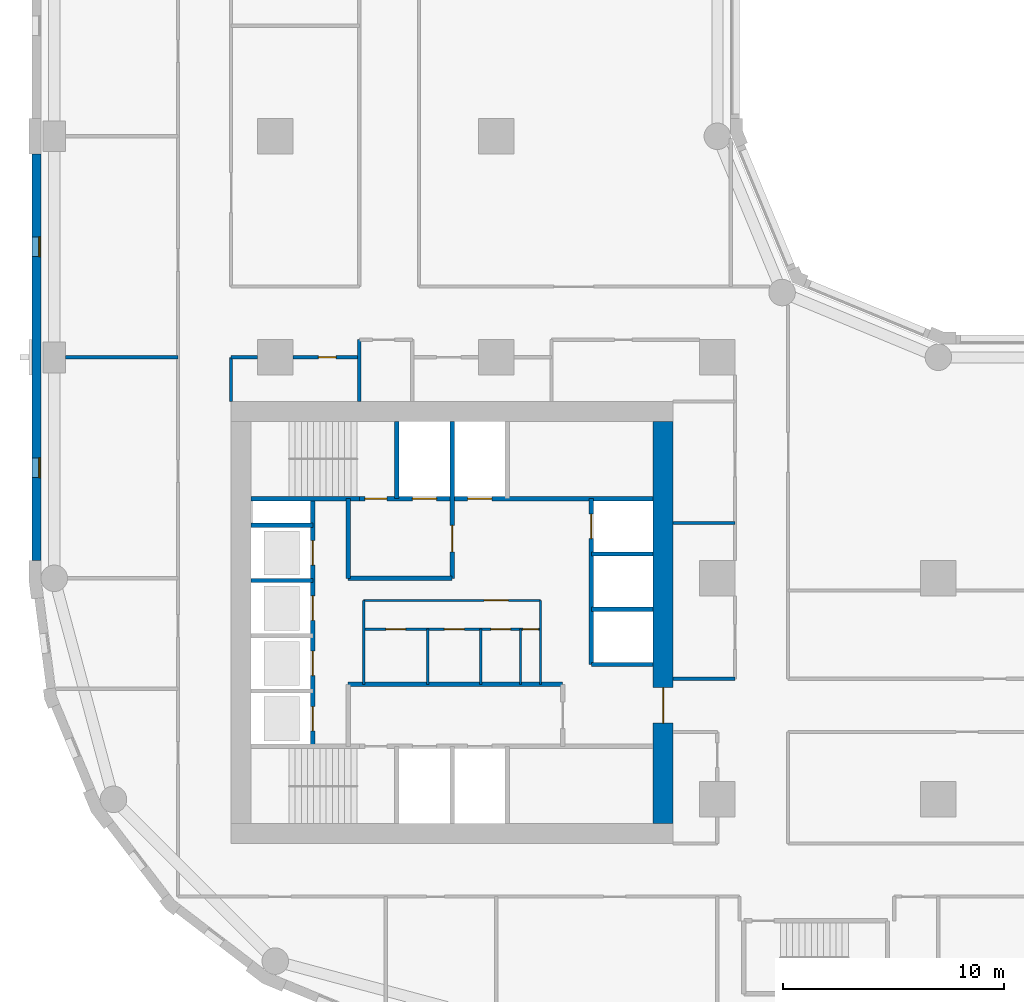
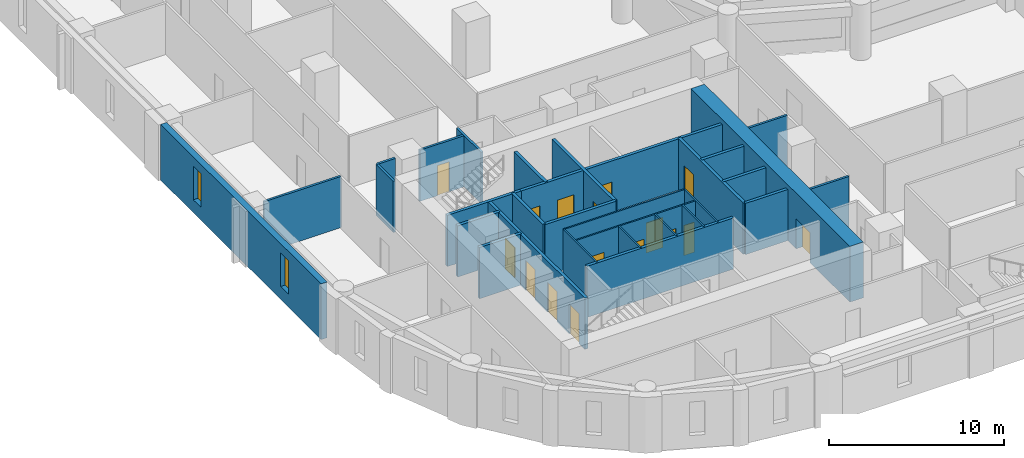
# One storey, part 3 of 11: 30 walls, 16 doors, 2 windows, 18 openings.
"""IFC4 building model written with IfcOpenShell, lengths in metres."""

from ifc_helpers import new_model, si_unit, direction, frame, frame_2d, origin, place, context, subcontext, project, spatial, rectangle, extrude, material, layer, layer_set, type_object, element, fill, save


model = new_model("IFC4")

# Units and contexts
model_context = context("Model", 3, precision=1e-05, world=origin(), true_north=direction((0.0, 1.0)))
body_context = subcontext(model_context, "Body", "Model", "MODEL_VIEW")
ifc_project = project(units=[si_unit("LENGTHUNIT", "METRE"), si_unit("AREAUNIT", "SQUARE_METRE"), si_unit("VOLUMEUNIT", "CUBIC_METRE"), si_unit("PLANEANGLEUNIT", "RADIAN"), si_unit("MASSUNIT", "GRAM", prefix="KILO")], contexts=[model_context])

# Site, building, storey
site_placement = place(None, origin())
site = spatial("IfcSite", under=ifc_project, at=site_placement, CompositionType="ELEMENT")
building_placement = place(site_placement, origin())
building = spatial("IfcBuilding", under=site, at=building_placement, Name="Qaws Garden Tower", CompositionType="ELEMENT")
storey_placement = place(building_placement, frame((0.0, 0.0, 23.699951171875)))
storey = spatial("IfcBuildingStorey", under=building, at=storey_placement, Name="L05", CompositionType="ELEMENT", Elevation=23.699951171875)

# Wall, openings, windows
ifc_material_1 = material(Name="Clay facing brick masonry", Category="masonry")
ifc_layer_1 = layer(ifc_material_1, 0.39990234375)
ifc_layer_set_1 = layer_set([ifc_layer_1], Name="Clay facing brick masonry")
wall_type_1 = type_object("IfcWallType", Name="Brick infill wall 400", PredefinedType="SOLIDWALL", material=ifc_layer_set_1)
wall_1_placement = place(storey_placement, frame((-0.800048828125, 39.199951171875, 0.0), z_axis=(0.0, 0.0, 1.0), x_axis=(0.0, -1.0, 0.0)))
wall_1 = element("IfcWall", 1, at=wall_1_placement, inside=storey, type_object=wall_type_1, Name="E-L05-infill-25", PredefinedType="SOLIDWALL", context=body_context, shape_type="SweptSolid", body=[
    extrude(rectangle(XDim=18.39990234375, YDim=0.39990234375, at=frame_2d((9.199951171875, 0.0))), origin(), (0.0, 0.0, 1.0), 3.900146484375),
])
opening_1_placement = place(wall_1_placement, frame((3.75, 0.0, 0.89990234375)))
opening_1 = element("IfcOpeningElement", 2, at=opening_1_placement, cuts=wall_1, Name="Opening W09", PredefinedType="OPENING", context=body_context, shape_type="SweptSolid", body=[
    extrude(rectangle(XDim=0.89990234375, YDim=2.35009765625, at=frame_2d((0.449951171875, 1.175048828125))), frame((0.0, 0.2099609375, 0.0), z_axis=(0.0, -1.0, 0.0), x_axis=(1.0, 0.0, 0.0)), (0.0, 0.0, 1.0), 0.419921875),
])
opening_2_placement = place(wall_1_placement, frame((13.75, 0.0, 0.89990234375)))
opening_2 = element("IfcOpeningElement", 3, at=opening_2_placement, cuts=wall_1, Name="Opening W09", PredefinedType="OPENING", context=body_context, shape_type="SweptSolid", body=[
    extrude(rectangle(XDim=0.89990234375, YDim=2.35009765625, at=frame_2d((0.449951171875, 1.175048828125))), frame((0.0, 0.2099609375, 0.0), z_axis=(0.0, -1.0, 0.0), x_axis=(1.0, 0.0, 0.0)), (0.0, 0.0, 1.0), 0.419921875),
])
ifc_material_2 = material(Name="Aluminium framed window, clear glazing", Category="aluminium")
window_type = type_object("IfcWindowType", Name="Slit window 900 x 2350", PartitioningType="SINGLE_PANEL", PredefinedType="WINDOW", material=ifc_material_2)
window_1_placement = place(opening_1_placement, origin())
window_1 = element("IfcWindow", 4, at=window_1_placement, inside=storey, type_object=window_type, Name="E-L05-window-25-0", OverallHeight=2.35009765625, OverallWidth=0.89990234375, PartitioningType="SINGLE_PANEL", PredefinedType="WINDOW", context=body_context, shape_type="SweptSolid", body=[
    extrude(rectangle(XDim=0.89990234375, YDim=2.35009765625, at=frame_2d((0.449951171875, 1.175048828125))), frame((0.0, 0.159912109375, 0.0), z_axis=(0.0, -1.0, 0.0), x_axis=(1.0, 0.0, 0.0)), (0.0, 0.0, 1.0), 0.06005859375),
])
fill(opening_1, window_1)
window_2_placement = place(opening_2_placement, origin())
window_2 = element("IfcWindow", 5, at=window_2_placement, inside=storey, type_object=window_type, Name="E-L05-window-26-0", OverallHeight=2.35009765625, OverallWidth=0.89990234375, PartitioningType="SINGLE_PANEL", PredefinedType="WINDOW", context=body_context, shape_type="SweptSolid", body=[
    extrude(rectangle(XDim=0.89990234375, YDim=2.35009765625, at=frame_2d((0.449951171875, 1.175048828125))), frame((0.0, 0.159912109375, 0.0), z_axis=(0.0, -1.0, 0.0), x_axis=(1.0, 0.0, 0.0)), (0.0, 0.0, 1.0), 0.06005859375),
])
fill(opening_2, window_2)

# Wall, openings, doors
ifc_material_3 = material(Name="Plasterboard")
ifc_layer_2 = layer(ifc_material_3, 0.10009765625)
ifc_layer_set_2 = layer_set([ifc_layer_2], Name="Plasterboard")
wall_type_2 = type_object("IfcWallType", Name="Core partition 100", PredefinedType="PARTITIONING", material=ifc_layer_set_2)
wall_2_placement = place(storey_placement, frame((14.0, 17.699951171875, 0.0), z_axis=(0.0, 0.0, 1.0), x_axis=(1.0, 0.0, 0.0)))
wall_2 = element("IfcWall", 6, at=wall_2_placement, inside=storey, type_object=wall_type_2, Name="Core partition", PredefinedType="PARTITIONING", context=body_context, shape_type="SweptSolid", body=[
    extrude(rectangle(XDim=8.0, YDim=0.10009765625, at=frame_2d((4.0, 0.0))), origin(), (0.0, 0.0, 1.0), 3.580078125),
])
opening_3_placement = place(wall_2_placement, frame((1.0, 0.0, 0.0)))
opening_3 = element("IfcOpeningElement", 7, at=opening_3_placement, cuts=wall_2, Name="Opening WD18", PredefinedType="OPENING", context=body_context, shape_type="SweptSolid", body=[
    extrude(rectangle(XDim=0.89990234375, YDim=2.10009765625, at=frame_2d((0.449951171875, 1.050048828125))), frame((0.0, 0.06005859375, 0.0), z_axis=(0.0, -1.0, 0.0), x_axis=(1.0, 0.0, 0.0)), (0.0, 0.0, 1.0), 0.1201171875),
])
opening_4_placement = place(wall_2_placement, frame((3.64990234375, 0.0, 0.0)))
opening_4 = element("IfcOpeningElement", 8, at=opening_4_placement, cuts=wall_2, Name="Opening WD19", PredefinedType="OPENING", context=body_context, shape_type="SweptSolid", body=[
    extrude(rectangle(XDim=0.89990234375, YDim=2.10009765625, at=frame_2d((0.449951171875, 1.050048828125))), frame((0.0, 0.06005859375, 0.0), z_axis=(0.0, -1.0, 0.0), x_axis=(1.0, 0.0, 0.0)), (0.0, 0.0, 1.0), 0.1201171875),
])
opening_5_placement = place(wall_2_placement, frame((5.75, 0.0, 0.0)))
opening_5 = element("IfcOpeningElement", 9, at=opening_5_placement, cuts=wall_2, Name="Opening WD20", PredefinedType="OPENING", context=body_context, shape_type="SweptSolid", body=[
    extrude(rectangle(XDim=0.89990234375, YDim=2.10009765625, at=frame_2d((0.449951171875, 1.050048828125))), frame((0.0, 0.06005859375, 0.0), z_axis=(0.0, -1.0, 0.0), x_axis=(1.0, 0.0, 0.0)), (0.0, 0.0, 1.0), 0.1201171875),
])
opening_6_placement = place(wall_2_placement, frame((7.199951171875, 0.0, 0.0)))
opening_6 = element("IfcOpeningElement", 10, at=opening_6_placement, cuts=wall_2, Name="Opening XD21", PredefinedType="OPENING", context=body_context, shape_type="SweptSolid", body=[
    extrude(rectangle(XDim=0.699951171875, YDim=2.10009765625, at=frame_2d((0.35009765625, 1.050048828125))), frame((0.0, 0.06005859375, 0.0), z_axis=(0.0, -1.0, 0.0), x_axis=(1.0, 0.0, 0.0)), (0.0, 0.0, 1.0), 0.1201171875),
])
ifc_material_4 = material(Name="Timber", Category="wood")
door_type_1 = type_object("IfcDoorType", Name="Store door 700x2100", OperationType="SINGLE_SWING_LEFT", PredefinedType="DOOR", material=ifc_material_4)
door_1_placement = place(opening_6_placement, frame((0.699951171875, 0.0, 0.0), z_axis=(0.0, 0.0, 1.0), x_axis=(-1.0, 0.0, 0.0)))
door_1 = element("IfcDoor", 11, at=door_1_placement, inside=storey, type_object=door_type_1, Name="Cleaner's store door", OperationType="SINGLE_SWING_LEFT", OverallHeight=2.10009765625, OverallWidth=0.699951171875, PredefinedType="DOOR", context=body_context, shape_type="SweptSolid", body=[
    extrude(rectangle(XDim=0.699951171875, YDim=2.10009765625, at=frame_2d((0.35009765625, 1.050048828125))), frame((0.0, 0.02490234375, 0.0), z_axis=(0.0, -1.0, 0.0), x_axis=(1.0, 0.0, 0.0)), (0.0, 0.0, 1.0), 0.050048828125),
])
fill(opening_6, door_1)
ifc_material_5 = material(Name="Timber", Category="wood")
door_type_2 = type_object("IfcDoorType", Name="WC door 900x2100", OperationType="SINGLE_SWING_LEFT", PredefinedType="DOOR", material=ifc_material_5)
door_2_placement = place(opening_3_placement, frame((0.89990234375, 0.0, 0.0), z_axis=(0.0, 0.0, 1.0), x_axis=(-1.0, 0.0, 0.0)))
door_2 = element("IfcDoor", 12, at=door_2_placement, inside=storey, type_object=door_type_2, Name="Women's WC door", OperationType="SINGLE_SWING_LEFT", OverallHeight=2.10009765625, OverallWidth=0.89990234375, PredefinedType="DOOR", context=body_context, shape_type="SweptSolid", body=[
    extrude(rectangle(XDim=0.89990234375, YDim=2.10009765625, at=frame_2d((0.449951171875, 1.050048828125))), frame((0.0, 0.02490234375, 0.0), z_axis=(0.0, -1.0, 0.0), x_axis=(1.0, 0.0, 0.0)), (0.0, 0.0, 1.0), 0.050048828125),
])
fill(opening_3, door_2)
door_3_placement = place(opening_4_placement, frame((0.89990234375, 0.0, 0.0), z_axis=(0.0, 0.0, 1.0), x_axis=(-1.0, 0.0, 0.0)))
door_3 = element("IfcDoor", 13, at=door_3_placement, inside=storey, type_object=door_type_2, Name="Men's WC door", OperationType="SINGLE_SWING_LEFT", OverallHeight=2.10009765625, OverallWidth=0.89990234375, PredefinedType="DOOR", context=body_context, shape_type="SweptSolid", body=[
    extrude(rectangle(XDim=0.89990234375, YDim=2.10009765625, at=frame_2d((0.449951171875, 1.050048828125))), frame((0.0, 0.02490234375, 0.0), z_axis=(0.0, -1.0, 0.0), x_axis=(1.0, 0.0, 0.0)), (0.0, 0.0, 1.0), 0.050048828125),
])
fill(opening_4, door_3)
door_4_placement = place(opening_5_placement, frame((0.89990234375, 0.0, 0.0), z_axis=(0.0, 0.0, 1.0), x_axis=(-1.0, 0.0, 0.0)))
door_4 = element("IfcDoor", 14, at=door_4_placement, inside=storey, type_object=door_type_2, Name="Accessible WC door", OperationType="SINGLE_SWING_LEFT", OverallHeight=2.10009765625, OverallWidth=0.89990234375, PredefinedType="DOOR", context=body_context, shape_type="SweptSolid", body=[
    extrude(rectangle(XDim=0.89990234375, YDim=2.10009765625, at=frame_2d((0.449951171875, 1.050048828125))), frame((0.0, 0.02490234375, 0.0), z_axis=(0.0, -1.0, 0.0), x_axis=(1.0, 0.0, 0.0)), (0.0, 0.0, 1.0), 0.050048828125),
])
fill(opening_5, door_4)

# Wall, opening, door
wall_3_placement = place(storey_placement, frame((14.0, 19.0, 0.0), z_axis=(0.0, 0.0, 1.0), x_axis=(1.0, 0.0, 0.0)))
wall_3 = element("IfcWall", 15, at=wall_3_placement, inside=storey, type_object=wall_type_2, Name="Core partition", PredefinedType="PARTITIONING", context=body_context, shape_type="SweptSolid", body=[
    extrude(rectangle(XDim=8.0, YDim=0.10009765625, at=frame_2d((4.0, 0.0))), origin(), (0.0, 0.0, 1.0), 3.580078125),
])
opening_7_placement = place(wall_3_placement, frame((5.449951171875, 0.0, 0.0)))
opening_7 = element("IfcOpeningElement", 16, at=opening_7_placement, cuts=wall_3, Name="Opening WL17", PredefinedType="OPENING", context=body_context, shape_type="SweptSolid", body=[
    extrude(rectangle(XDim=1.10009765625, YDim=2.10009765625, at=frame_2d((0.550048828125, 1.050048828125))), frame((0.0, 0.06005859375, 0.0), z_axis=(0.0, -1.0, 0.0), x_axis=(1.0, 0.0, 0.0)), (0.0, 0.0, 1.0), 0.1201171875),
])
ifc_material_6 = material(Name="Timber", Category="wood")
door_type_3 = type_object("IfcDoorType", Name="WC lobby door 1100x2100", OperationType="SINGLE_SWING_LEFT", PredefinedType="DOOR", material=ifc_material_6)
door_5_placement = place(opening_7_placement, frame((1.10009765625, 0.0, 0.0), z_axis=(0.0, 0.0, 1.0), x_axis=(-1.0, 0.0, 0.0)))
door_5 = element("IfcDoor", 17, at=door_5_placement, inside=storey, type_object=door_type_3, Name="WC lobby door", OperationType="SINGLE_SWING_LEFT", OverallHeight=2.10009765625, OverallWidth=1.10009765625, PredefinedType="DOOR", context=body_context, shape_type="SweptSolid", body=[
    extrude(rectangle(XDim=1.10009765625, YDim=2.10009765625, at=frame_2d((0.550048828125, 1.050048828125))), frame((0.0, 0.02490234375, 0.0), z_axis=(0.0, -1.0, 0.0), x_axis=(1.0, 0.0, 0.0)), (0.0, 0.0, 1.0), 0.050048828125),
])
fill(opening_7, door_5)

# Walls
wall_4_placement = place(storey_placement, frame((14.0, 15.199951171875, 0.0), z_axis=(0.0, 0.0, 1.0), x_axis=(0.0, 1.0, 0.0)))
element("IfcWall", 18, at=wall_4_placement, inside=storey, type_object=wall_type_2, Name="Core partition", PredefinedType="PARTITIONING", context=body_context, shape_type="SweptSolid", body=[
    extrude(rectangle(XDim=3.800048828125, YDim=0.10009765625, at=frame_2d((1.89990234375, 0.0))), origin(), (0.0, 0.0, 1.0), 3.580078125),
])
for number, where, z_axis, x_axis, name in (
    (19, (16.89990234375, 15.199951171875, 0.0), (0.0, 0.0, 1.0), (0.0, 1.0, 0.0), "Core partition"),
    (20, (19.300048828125, 15.199951171875, 0.0), (0.0, 0.0, 1.0), (0.0, 1.0, 0.0), "Core partition"),
    (21, (21.10009765625, 15.199951171875, 0.0), (0.0, 0.0, 1.0), (0.0, 1.0, 0.0), "Core partition"),
):
    element("IfcWall", number, at=place(storey_placement, frame(where, z_axis=z_axis, x_axis=x_axis)), inside=storey, type_object=wall_type_2, Name=name, PredefinedType="PARTITIONING", context=body_context, shape_type="SweptSolid", body=[
        extrude(rectangle(XDim=2.5, YDim=0.10009765625, at=frame_2d((1.25, 0.0))), origin(), (0.0, 0.0, 1.0), 3.580078125),
    ])
wall_5_placement = place(storey_placement, frame((22.0, 15.199951171875, 0.0), z_axis=(0.0, 0.0, 1.0), x_axis=(0.0, 1.0, 0.0)))
element("IfcWall", 22, at=wall_5_placement, inside=storey, type_object=wall_type_2, Name="Core partition", PredefinedType="PARTITIONING", context=body_context, shape_type="SweptSolid", body=[
    extrude(rectangle(XDim=3.800048828125, YDim=0.10009765625, at=frame_2d((1.89990234375, 0.0))), origin(), (0.0, 0.0, 1.0), 3.580078125),
])
ifc_material_7 = material(Name="Concrete C80", Category="concrete")
ifc_layer_3 = layer(ifc_material_7, 0.199951171875)
ifc_layer_set_3 = layer_set([ifc_layer_3], Name="Concrete C80")
wall_type_3 = type_object("IfcWallType", Name="Core shaft wall 200 C80", PredefinedType="SHEAR", material=ifc_layer_set_3)
wall_6_placement = place(storey_placement, frame((13.300048828125, 15.199951171875, 0.0), z_axis=(0.0, 0.0, 1.0), x_axis=(1.0, 0.0, 0.0)))
element("IfcWall", 23, at=wall_6_placement, inside=storey, type_object=wall_type_3, Name="Shaft wall", PredefinedType="SHEAR", context=body_context, shape_type="SweptSolid", body=[
    extrude(rectangle(XDim=9.699951171875, YDim=0.199951171875, at=frame_2d((4.85009765625, 0.0))), origin(), (0.0, 0.0, 1.0), 3.580078125),
])
for number, where, z_axis, x_axis, name in (
    (24, (24.300048828125, 16.10009765625, 0.0), (0.0, 0.0, 1.0), (1.0, 0.0, 0.0), "Shaft wall"),
    (25, (24.300048828125, 18.60009765625, 0.0), (0.0, 0.0, 1.0), (1.0, 0.0, 0.0), "Shaft wall"),
    (26, (8.89990234375, 19.89990234375, 0.0), (0.0, 0.0, 1.0), (1.0, 0.0, 0.0), "Shaft wall"),
):
    element("IfcWall", number, at=place(storey_placement, frame(where, z_axis=z_axis, x_axis=x_axis)), inside=storey, type_object=wall_type_3, Name=name, PredefinedType="SHEAR", context=body_context, shape_type="SweptSolid", body=[
        extrude(rectangle(XDim=2.800048828125, YDim=0.199951171875, at=frame_2d((1.39990234375, 0.0))), origin(), (0.0, 0.0, 1.0), 3.580078125),
    ])
wall_7_placement = place(storey_placement, frame((13.300048828125, 20.0, 0.0), z_axis=(0.0, 0.0, 1.0), x_axis=(1.0, 0.0, 0.0)))
element("IfcWall", 27, at=wall_7_placement, inside=storey, type_object=wall_type_3, Name="Shaft wall", PredefinedType="SHEAR", context=body_context, shape_type="SweptSolid", body=[
    extrude(rectangle(XDim=4.699951171875, YDim=0.199951171875, at=frame_2d((2.35009765625, 0.0))), origin(), (0.0, 0.0, 1.0), 3.580078125),
])
for number, where, z_axis, x_axis, name in (
    (28, (24.300048828125, 21.10009765625, 0.0), (0.0, 0.0, 1.0), (1.0, 0.0, 0.0), "Shaft wall"),
    (29, (8.89990234375, 22.39990234375, 0.0), (0.0, 0.0, 1.0), (1.0, 0.0, 0.0), "Shaft wall"),
):
    element("IfcWall", number, at=place(storey_placement, frame(where, z_axis=z_axis, x_axis=x_axis)), inside=storey, type_object=wall_type_3, Name=name, PredefinedType="SHEAR", context=body_context, shape_type="SweptSolid", body=[
        extrude(rectangle(XDim=2.800048828125, YDim=0.199951171875, at=frame_2d((1.39990234375, 0.0))), origin(), (0.0, 0.0, 1.0), 3.580078125),
    ])
wall_8_placement = place(storey_placement, frame((8.89990234375, 23.60009765625, 0.0), z_axis=(0.0, 0.0, 1.0), x_axis=(1.0, 0.0, 0.0)))
element("IfcWall", 30, at=wall_8_placement, inside=storey, type_object=wall_type_3, Name="Shaft wall", PredefinedType="SHEAR", context=body_context, shape_type="SweptSolid", body=[
    extrude(rectangle(XDim=4.900146484375, YDim=0.199951171875, at=frame_2d((2.4501953125, 0.0))), origin(), (0.0, 0.0, 1.0), 3.580078125),
])

# Wall, openings, doors
wall_9_placement = place(storey_placement, frame((13.800048828125, 23.60009765625, 0.0), z_axis=(0.0, 0.0, 1.0), x_axis=(1.0, 0.0, 0.0)))
wall_9 = element("IfcWall", 31, at=wall_9_placement, inside=storey, type_object=wall_type_3, Name="Shaft wall", PredefinedType="SHEAR", context=body_context, shape_type="SweptSolid", body=[
    extrude(rectangle(XDim=13.300048828125, YDim=0.199951171875, at=frame_2d((6.64990234375, 0.0))), origin(), (0.0, 0.0, 1.0), 3.580078125),
])
opening_8_placement = place(wall_9_placement, frame((2.39990234375, 0.0, 0.0)))
opening_8 = element("IfcOpeningElement", 32, at=opening_8_placement, cuts=wall_9, Name="Opening LD08", PredefinedType="OPENING", context=body_context, shape_type="SweptSolid", body=[
    extrude(rectangle(XDim=1.10009765625, YDim=2.10009765625, at=frame_2d((0.550048828125, 1.050048828125))), frame((0.0, 0.10986328125, 0.0), z_axis=(0.0, -1.0, 0.0), x_axis=(1.0, 0.0, 0.0)), (0.0, 0.0, 1.0), 0.219970703125),
])
opening_9_placement = place(wall_9_placement, frame((4.89990234375, 0.0, 0.0)))
opening_9 = element("IfcOpeningElement", 33, at=opening_9_placement, cuts=wall_9, Name="Opening LD09", PredefinedType="OPENING", context=body_context, shape_type="SweptSolid", body=[
    extrude(rectangle(XDim=1.10009765625, YDim=2.10009765625, at=frame_2d((0.550048828125, 1.050048828125))), frame((0.0, 0.10986328125, 0.0), z_axis=(0.0, -1.0, 0.0), x_axis=(1.0, 0.0, 0.0)), (0.0, 0.0, 1.0), 0.219970703125),
])
opening_10_placement = place(wall_9_placement, frame((0.25, 0.0, 0.0)))
opening_10 = element("IfcOpeningElement", 34, at=opening_10_placement, cuts=wall_9, Name="Opening SD11", PredefinedType="OPENING", context=body_context, shape_type="SweptSolid", body=[
    extrude(rectangle(XDim=1.0, YDim=2.10009765625, at=frame_2d((0.5, 1.050048828125))), frame((0.0, 0.10986328125, 0.0), z_axis=(0.0, -1.0, 0.0), x_axis=(1.0, 0.0, 0.0)), (0.0, 0.0, 1.0), 0.219970703125),
])
ifc_material_8 = material(Name="Steel S235", Category="steel")
door_type_4 = type_object("IfcDoorType", Name="Landing door 1100x2100", OperationType="DOUBLE_DOOR_SLIDING", PredefinedType="DOOR", material=ifc_material_8)
door_6_placement = place(opening_8_placement, origin())
door_6 = element("IfcDoor", 35, at=door_6_placement, inside=storey, type_object=door_type_4, Name="Lift FF3 landing door", OperationType="DOUBLE_DOOR_SLIDING", OverallHeight=2.10009765625, OverallWidth=1.10009765625, PredefinedType="DOOR", context=body_context, shape_type="SweptSolid", body=[
    extrude(rectangle(XDim=1.10009765625, YDim=2.10009765625, at=frame_2d((0.550048828125, 1.050048828125))), frame((0.0, 0.02490234375, 0.0), z_axis=(0.0, -1.0, 0.0), x_axis=(1.0, 0.0, 0.0)), (0.0, 0.0, 1.0), 0.050048828125),
])
fill(opening_8, door_6)
door_7_placement = place(opening_9_placement, origin())
door_7 = element("IfcDoor", 36, at=door_7_placement, inside=storey, type_object=door_type_4, Name="Lift SV2 landing door", OperationType="DOUBLE_DOOR_SLIDING", OverallHeight=2.10009765625, OverallWidth=1.10009765625, PredefinedType="DOOR", context=body_context, shape_type="SweptSolid", body=[
    extrude(rectangle(XDim=1.10009765625, YDim=2.10009765625, at=frame_2d((0.550048828125, 1.050048828125))), frame((0.0, 0.02490234375, 0.0), z_axis=(0.0, -1.0, 0.0), x_axis=(1.0, 0.0, 0.0)), (0.0, 0.0, 1.0), 0.050048828125),
])
fill(opening_9, door_7)
ifc_material_9 = material(Name="Steel S235", Category="steel")
door_type_5 = type_object("IfcDoorType", Name="Stair door 1000x2100", OperationType="SINGLE_SWING_RIGHT", PredefinedType="DOOR", material=ifc_material_9)
door_8_placement = place(opening_10_placement, origin())
door_8 = element("IfcDoor", 37, at=door_8_placement, inside=storey, type_object=door_type_5, Name="Stair 4 door", OperationType="SINGLE_SWING_RIGHT", OverallHeight=2.10009765625, OverallWidth=1.0, PredefinedType="DOOR", context=body_context, shape_type="SweptSolid", body=[
    extrude(rectangle(XDim=1.0, YDim=2.10009765625, at=frame_2d((0.5, 1.050048828125))), frame((0.0, 0.02490234375, 0.0), z_axis=(0.0, -1.0, 0.0), x_axis=(1.0, 0.0, 0.0)), (0.0, 0.0, 1.0), 0.050048828125),
])
fill(opening_10, door_8)

wall_10_placement = place(storey_placement, frame((11.699951171875, 12.39990234375, 0.0), z_axis=(0.0, 0.0, 1.0), x_axis=(0.0, 1.0, 0.0)))
wall_10 = element("IfcWall", 38, at=wall_10_placement, inside=storey, type_object=wall_type_3, Name="Shaft wall", PredefinedType="SHEAR", context=body_context, shape_type="SweptSolid", body=[
    extrude(rectangle(XDim=11.2001953125, YDim=0.199951171875, at=frame_2d((5.60009765625, 0.0))), origin(), (0.0, 0.0, 1.0), 3.580078125),
])
opening_11_placement = place(wall_10_placement, frame((0.699951171875, 0.0, 0.0)))
opening_11 = element("IfcOpeningElement", 39, at=opening_11_placement, cuts=wall_10, Name="Opening LD01", PredefinedType="OPENING", context=body_context, shape_type="SweptSolid", body=[
    extrude(rectangle(XDim=1.10009765625, YDim=2.10009765625, at=frame_2d((0.550048828125, 1.050048828125))), frame((0.0, 0.10986328125, 0.0), z_axis=(0.0, -1.0, 0.0), x_axis=(1.0, 0.0, 0.0)), (0.0, 0.0, 1.0), 0.219970703125),
])
opening_12_placement = place(wall_10_placement, frame((3.199951171875, 0.0, 0.0)))
opening_12 = element("IfcOpeningElement", 40, at=opening_12_placement, cuts=wall_10, Name="Opening LD02", PredefinedType="OPENING", context=body_context, shape_type="SweptSolid", body=[
    extrude(rectangle(XDim=1.10009765625, YDim=2.10009765625, at=frame_2d((0.550048828125, 1.050048828125))), frame((0.0, 0.10986328125, 0.0), z_axis=(0.0, -1.0, 0.0), x_axis=(1.0, 0.0, 0.0)), (0.0, 0.0, 1.0), 0.219970703125),
])
opening_13_placement = place(wall_10_placement, frame((5.699951171875, 0.0, 0.0)))
opening_13 = element("IfcOpeningElement", 41, at=opening_13_placement, cuts=wall_10, Name="Opening LD03", PredefinedType="OPENING", context=body_context, shape_type="SweptSolid", body=[
    extrude(rectangle(XDim=1.10009765625, YDim=2.10009765625, at=frame_2d((0.550048828125, 1.050048828125))), frame((0.0, 0.10986328125, 0.0), z_axis=(0.0, -1.0, 0.0), x_axis=(1.0, 0.0, 0.0)), (0.0, 0.0, 1.0), 0.219970703125),
])
opening_14_placement = place(wall_10_placement, frame((8.199951171875, 0.0, 0.0)))
opening_14 = element("IfcOpeningElement", 42, at=opening_14_placement, cuts=wall_10, Name="Opening LD04", PredefinedType="OPENING", context=body_context, shape_type="SweptSolid", body=[
    extrude(rectangle(XDim=1.10009765625, YDim=2.10009765625, at=frame_2d((0.550048828125, 1.050048828125))), frame((0.0, 0.10986328125, 0.0), z_axis=(0.0, -1.0, 0.0), x_axis=(1.0, 0.0, 0.0)), (0.0, 0.0, 1.0), 0.219970703125),
])
door_9_placement = place(opening_11_placement, origin())
door_9 = element("IfcDoor", 43, at=door_9_placement, inside=storey, type_object=door_type_4, Name="Lift W1 landing door", OperationType="DOUBLE_DOOR_SLIDING", OverallHeight=2.10009765625, OverallWidth=1.10009765625, PredefinedType="DOOR", context=body_context, shape_type="SweptSolid", body=[
    extrude(rectangle(XDim=1.10009765625, YDim=2.10009765625, at=frame_2d((0.550048828125, 1.050048828125))), frame((0.0, 0.02490234375, 0.0), z_axis=(0.0, -1.0, 0.0), x_axis=(1.0, 0.0, 0.0)), (0.0, 0.0, 1.0), 0.050048828125),
])
fill(opening_11, door_9)
door_10_placement = place(opening_12_placement, origin())
door_10 = element("IfcDoor", 44, at=door_10_placement, inside=storey, type_object=door_type_4, Name="Lift W2 landing door", OperationType="DOUBLE_DOOR_SLIDING", OverallHeight=2.10009765625, OverallWidth=1.10009765625, PredefinedType="DOOR", context=body_context, shape_type="SweptSolid", body=[
    extrude(rectangle(XDim=1.10009765625, YDim=2.10009765625, at=frame_2d((0.550048828125, 1.050048828125))), frame((0.0, 0.02490234375, 0.0), z_axis=(0.0, -1.0, 0.0), x_axis=(1.0, 0.0, 0.0)), (0.0, 0.0, 1.0), 0.050048828125),
])
fill(opening_12, door_10)
door_11_placement = place(opening_13_placement, origin())
door_11 = element("IfcDoor", 45, at=door_11_placement, inside=storey, type_object=door_type_4, Name="Lift W3 landing door", OperationType="DOUBLE_DOOR_SLIDING", OverallHeight=2.10009765625, OverallWidth=1.10009765625, PredefinedType="DOOR", context=body_context, shape_type="SweptSolid", body=[
    extrude(rectangle(XDim=1.10009765625, YDim=2.10009765625, at=frame_2d((0.550048828125, 1.050048828125))), frame((0.0, 0.02490234375, 0.0), z_axis=(0.0, -1.0, 0.0), x_axis=(1.0, 0.0, 0.0)), (0.0, 0.0, 1.0), 0.050048828125),
])
fill(opening_13, door_11)
door_12_placement = place(opening_14_placement, origin())
door_12 = element("IfcDoor", 46, at=door_12_placement, inside=storey, type_object=door_type_4, Name="Lift W4 landing door", OperationType="DOUBLE_DOOR_SLIDING", OverallHeight=2.10009765625, OverallWidth=1.10009765625, PredefinedType="DOOR", context=body_context, shape_type="SweptSolid", body=[
    extrude(rectangle(XDim=1.10009765625, YDim=2.10009765625, at=frame_2d((0.550048828125, 1.050048828125))), frame((0.0, 0.02490234375, 0.0), z_axis=(0.0, -1.0, 0.0), x_axis=(1.0, 0.0, 0.0)), (0.0, 0.0, 1.0), 0.050048828125),
])
fill(opening_14, door_12)

# Walls
wall_11_placement = place(storey_placement, frame((13.300048828125, 20.0, 0.0), z_axis=(0.0, 0.0, 1.0), x_axis=(0.0, 1.0, 0.0)))
element("IfcWall", 47, at=wall_11_placement, inside=storey, type_object=wall_type_3, Name="Shaft wall", PredefinedType="SHEAR", context=body_context, shape_type="SweptSolid", body=[
    extrude(rectangle(XDim=3.60009765625, YDim=0.199951171875, at=frame_2d((1.800048828125, 0.0))), origin(), (0.0, 0.0, 1.0), 3.580078125),
])
wall_12_placement = place(storey_placement, frame((15.5, 23.60009765625, 0.0), z_axis=(0.0, 0.0, 1.0), x_axis=(0.0, 1.0, 0.0)))
element("IfcWall", 48, at=wall_12_placement, inside=storey, type_object=wall_type_3, Name="Shaft wall", PredefinedType="SHEAR", context=body_context, shape_type="SweptSolid", body=[
    extrude(rectangle(XDim=3.5, YDim=0.199951171875, at=frame_2d((1.75, 0.0))), origin(), (0.0, 0.0, 1.0), 3.580078125),
])

# Wall, opening, door
wall_13_placement = place(storey_placement, frame((18.0, 20.0, 0.0), z_axis=(0.0, 0.0, 1.0), x_axis=(0.0, 1.0, 0.0)))
wall_13 = element("IfcWall", 49, at=wall_13_placement, inside=storey, type_object=wall_type_3, Name="Shaft wall", PredefinedType="SHEAR", context=body_context, shape_type="SweptSolid", body=[
    extrude(rectangle(XDim=7.10009765625, YDim=0.199951171875, at=frame_2d((3.550048828125, 0.0))), origin(), (0.0, 0.0, 1.0), 3.580078125),
])
opening_15_placement = place(wall_13_placement, frame((1.199951171875, 0.0, 0.0)))
opening_15 = element("IfcOpeningElement", 50, at=opening_15_placement, cuts=wall_13, Name="Opening FD16", PredefinedType="OPENING", context=body_context, shape_type="SweptSolid", body=[
    extrude(rectangle(XDim=1.199951171875, YDim=2.10009765625, at=frame_2d((0.60009765625, 1.050048828125))), frame((0.0, 0.10986328125, 0.0), z_axis=(0.0, -1.0, 0.0), x_axis=(1.0, 0.0, 0.0)), (0.0, 0.0, 1.0), 0.219970703125),
])
ifc_material_10 = material(Name="Steel S235", Category="steel")
door_type_6 = type_object("IfcDoorType", Name="Lobby door 1200x2100", OperationType="DOUBLE_DOOR_SINGLE_SWING", PredefinedType="DOOR", material=ifc_material_10)
door_13_placement = place(opening_15_placement, origin())
door_13 = element("IfcDoor", 51, at=door_13_placement, inside=storey, type_object=door_type_6, Name="Fire-fighting lobby door", OperationType="DOUBLE_DOOR_SINGLE_SWING", OverallHeight=2.10009765625, OverallWidth=1.199951171875, PredefinedType="DOOR", context=body_context, shape_type="SweptSolid", body=[
    extrude(rectangle(XDim=1.199951171875, YDim=2.10009765625, at=frame_2d((0.60009765625, 1.050048828125))), frame((0.0, 0.02490234375, 0.0), z_axis=(0.0, -1.0, 0.0), x_axis=(1.0, 0.0, 0.0)), (0.0, 0.0, 1.0), 0.050048828125),
])
fill(opening_15, door_13)

wall_14_placement = place(storey_placement, frame((24.300048828125, 16.10009765625, 0.0), z_axis=(0.0, 0.0, 1.0), x_axis=(0.0, 1.0, 0.0)))
wall_14 = element("IfcWall", 52, at=wall_14_placement, inside=storey, type_object=wall_type_3, Name="Shaft wall", PredefinedType="SHEAR", context=body_context, shape_type="SweptSolid", body=[
    extrude(rectangle(XDim=7.5, YDim=0.199951171875, at=frame_2d((3.75, 0.0))), origin(), (0.0, 0.0, 1.0), 3.580078125),
])
opening_16_placement = place(wall_14_placement, frame((5.699951171875, 0.0, 0.0)))
opening_16 = element("IfcOpeningElement", 53, at=opening_16_placement, cuts=wall_14, Name="Opening LD05", PredefinedType="OPENING", context=body_context, shape_type="SweptSolid", body=[
    extrude(rectangle(XDim=1.10009765625, YDim=2.10009765625, at=frame_2d((0.550048828125, 1.050048828125))), frame((0.0, 0.10986328125, 0.0), z_axis=(0.0, -1.0, 0.0), x_axis=(1.0, 0.0, 0.0)), (0.0, 0.0, 1.0), 0.219970703125),
])
door_14_placement = place(opening_16_placement, origin())
door_14 = element("IfcDoor", 54, at=door_14_placement, inside=storey, type_object=door_type_4, Name="Lift E3 landing door", OperationType="DOUBLE_DOOR_SLIDING", OverallHeight=2.10009765625, OverallWidth=1.10009765625, PredefinedType="DOOR", context=body_context, shape_type="SweptSolid", body=[
    extrude(rectangle(XDim=1.10009765625, YDim=2.10009765625, at=frame_2d((0.550048828125, 1.050048828125))), frame((0.0, 0.02490234375, 0.0), z_axis=(0.0, -1.0, 0.0), x_axis=(1.0, 0.0, 0.0)), (0.0, 0.0, 1.0), 0.050048828125),
])
fill(opening_16, door_14)

ifc_material_11 = material(Name="Concrete C80", Category="concrete")
ifc_layer_4 = layer(ifc_material_11, 0.89990234375)
ifc_layer_set_4 = layer_set([ifc_layer_4], Name="Concrete C80")
wall_type_4 = type_object("IfcWallType", Name="Core wall 900 C80", PredefinedType="SHEAR", material=ifc_layer_set_4)
wall_15_placement = place(storey_placement, frame((27.550048828125, 8.89990234375, 0.0), z_axis=(0.0, 0.0, 1.0), x_axis=(0.0, 1.0, 0.0)))
wall_15 = element("IfcWall", 55, at=wall_15_placement, inside=storey, type_object=wall_type_4, Name="Core wall L05 east", PredefinedType="SHEAR", context=body_context, shape_type="SweptSolid", body=[
    extrude(rectangle(XDim=18.2001953125, YDim=0.89990234375, at=frame_2d((9.10009765625, 0.0))), origin(), (0.0, 0.0, 1.0), 3.900146484375),
])
opening_17_placement = place(wall_15_placement, frame((4.550048828125, 0.0, 0.0)))
opening_17 = element("IfcOpeningElement", 56, at=opening_17_placement, cuts=wall_15, Name="Opening ED22", PredefinedType="OPENING", context=body_context, shape_type="SweptSolid", body=[
    extrude(rectangle(XDim=1.60009765625, YDim=2.10009765625, at=frame_2d((0.800048828125, 1.050048828125))), frame((0.0, 0.4599609375, 0.0), z_axis=(0.0, -1.0, 0.0), x_axis=(1.0, 0.0, 0.0)), (0.0, 0.0, 1.0), 0.919921875),
])
ifc_material_12 = material(Name="Steel S235", Category="steel")
door_type_7 = type_object("IfcDoorType", Name="Core entrance door 1600x2100", OperationType="DOUBLE_DOOR_SINGLE_SWING", PredefinedType="DOOR", material=ifc_material_12)
door_15_placement = place(opening_17_placement, origin())
door_15 = element("IfcDoor", 57, at=door_15_placement, inside=storey, type_object=door_type_7, Name="Core entrance door", OperationType="DOUBLE_DOOR_SINGLE_SWING", OverallHeight=2.10009765625, OverallWidth=1.60009765625, PredefinedType="DOOR", context=body_context, shape_type="SweptSolid", body=[
    extrude(rectangle(XDim=1.60009765625, YDim=2.10009765625, at=frame_2d((0.800048828125, 1.050048828125))), frame((0.0, 0.02490234375, 0.0), z_axis=(0.0, -1.0, 0.0), x_axis=(1.0, 0.0, 0.0)), (0.0, 0.0, 1.0), 0.050048828125),
])
fill(opening_17, door_15)

# Walls
ifc_material_13 = material(Name="Gypsum board partition")
ifc_layer_5 = layer(ifc_material_13, 0.14990234375)
ifc_layer_set_5 = layer_set([ifc_layer_5], Name="Gypsum board partition")
wall_type_5 = type_object("IfcWallType", Name="PARTITION 150 EI 60", PredefinedType="PARTITIONING", material=ifc_layer_set_5)
wall_16_placement = place(storey_placement, frame((8.0, 28.0, 0.0), z_axis=(0.0, 0.0, 1.0), x_axis=(0.0, 1.0, 0.0)))
element("IfcWall", 58, at=wall_16_placement, inside=storey, type_object=wall_type_5, Name="O-L05-wall-006", PredefinedType="PARTITIONING", context=body_context, shape_type="SweptSolid", body=[
    extrude(rectangle(XDim=2.0, YDim=0.14990234375, at=frame_2d((1.0, 0.0))), origin(), (0.0, 0.0, 1.0), 3.580078125),
])
for number, where, z_axis, x_axis, name in (
    (59, (13.800048828125, 28.0, 0.0), (0.0, 0.0, 1.0), (0.0, 1.0, 0.0), "O-L05-wall-009"),
    (60, (28.0, 15.449951171875, 0.0), (0.0, 0.0, 1.0), (1.0, 0.0, 0.0), "O-L05-wall-043"),
    (61, (28.0, 22.5, 0.0), (0.0, 0.0, 1.0), (1.0, 0.0, 0.0), "O-L05-wall-049"),
):
    element("IfcWall", number, at=place(storey_placement, frame(where, z_axis=z_axis, x_axis=x_axis)), inside=storey, type_object=wall_type_5, Name=name, PredefinedType="PARTITIONING", context=body_context, shape_type="SweptSolid", body=[
        extrude(rectangle(XDim=2.800048828125, YDim=0.14990234375, at=frame_2d((1.39990234375, 0.0))), origin(), (0.0, 0.0, 1.0), 3.580078125),
    ])
wall_17_placement = place(storey_placement, frame((0.5, 30.0, 0.0), z_axis=(0.0, 0.0, 1.0), x_axis=(1.0, 0.0, 0.0)))
element("IfcWall", 62, at=wall_17_placement, inside=storey, type_object=wall_type_5, Name="O-L05-wall-051", PredefinedType="PARTITIONING", context=body_context, shape_type="SweptSolid", body=[
    extrude(rectangle(XDim=5.10009765625, YDim=0.14990234375, at=frame_2d((2.550048828125, 0.0))), origin(), (0.0, 0.0, 1.0), 3.580078125),
])
wall_18_placement = place(storey_placement, frame((8.0, 30.0, 0.0), z_axis=(0.0, 0.0, 1.0), x_axis=(1.0, 0.0, 0.0)))
element("IfcWall", 63, at=wall_18_placement, inside=storey, type_object=wall_type_5, Name="O-L05-wall-052", PredefinedType="PARTITIONING", context=body_context, shape_type="SweptSolid", body=[
    extrude(rectangle(XDim=1.199951171875, YDim=0.14990234375, at=frame_2d((0.60009765625, 0.0))), origin(), (0.0, 0.0, 1.0), 3.580078125),
])

# Wall, opening, door
wall_19_placement = place(storey_placement, frame((10.800048828125, 30.0, 0.0), z_axis=(0.0, 0.0, 1.0), x_axis=(1.0, 0.0, 0.0)))
wall_19 = element("IfcWall", 64, at=wall_19_placement, inside=storey, type_object=wall_type_5, Name="O-L05-wall-053", PredefinedType="PARTITIONING", context=body_context, shape_type="SweptSolid", body=[
    extrude(rectangle(XDim=3.0, YDim=0.14990234375, at=frame_2d((1.5, 0.0))), origin(), (0.0, 0.0, 1.0), 3.580078125),
])
opening_18_placement = place(wall_19_placement, frame((1.14990234375, 0.0, 0.0)))
opening_18 = element("IfcOpeningElement", 65, at=opening_18_placement, cuts=wall_19, Name="Opening A214", PredefinedType="OPENING", context=body_context, shape_type="SweptSolid", body=[
    extrude(rectangle(XDim=0.800048828125, YDim=2.10009765625, at=frame_2d((0.39990234375, 1.050048828125))), frame((0.0, 0.0849609375, 0.0), z_axis=(0.0, -1.0, 0.0), x_axis=(1.0, 0.0, 0.0)), (0.0, 0.0, 1.0), 0.169921875),
])
ifc_material_14 = material(Name="Timber door leaf", Category="wood")
door_type_8 = type_object("IfcDoorType", Name="STORE DOOR 800 X 2100", OperationType="SINGLE_SWING_LEFT", PredefinedType="DOOR", material=ifc_material_14)
door_16_placement = place(opening_18_placement, frame((0.800048828125, 0.0, 0.0), z_axis=(0.0, 0.0, 1.0), x_axis=(-1.0, 0.0, 0.0)))
door_16 = element("IfcDoor", 66, at=door_16_placement, inside=storey, type_object=door_type_8, Name="O-L05-door-014", OperationType="SINGLE_SWING_LEFT", OverallHeight=2.10009765625, OverallWidth=0.800048828125, PredefinedType="DOOR", context=body_context, shape_type="SweptSolid", body=[
    extrude(rectangle(XDim=0.800048828125, YDim=2.10009765625, at=frame_2d((0.39990234375, 1.050048828125))), frame((0.0, 0.02490234375, 0.0), z_axis=(0.0, -1.0, 0.0), x_axis=(1.0, 0.0, 0.0)), (0.0, 0.0, 1.0), 0.050048828125),
])
fill(opening_18, door_16)

save(model, "model.ifc")
